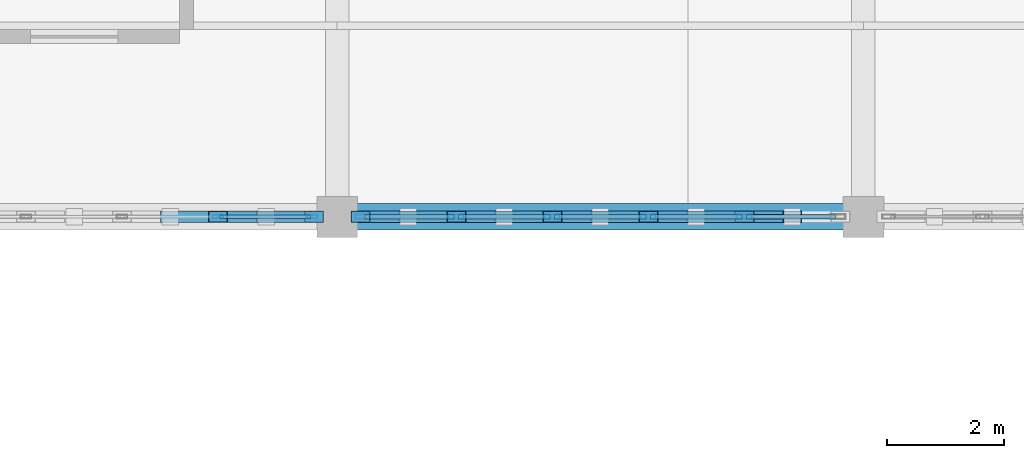
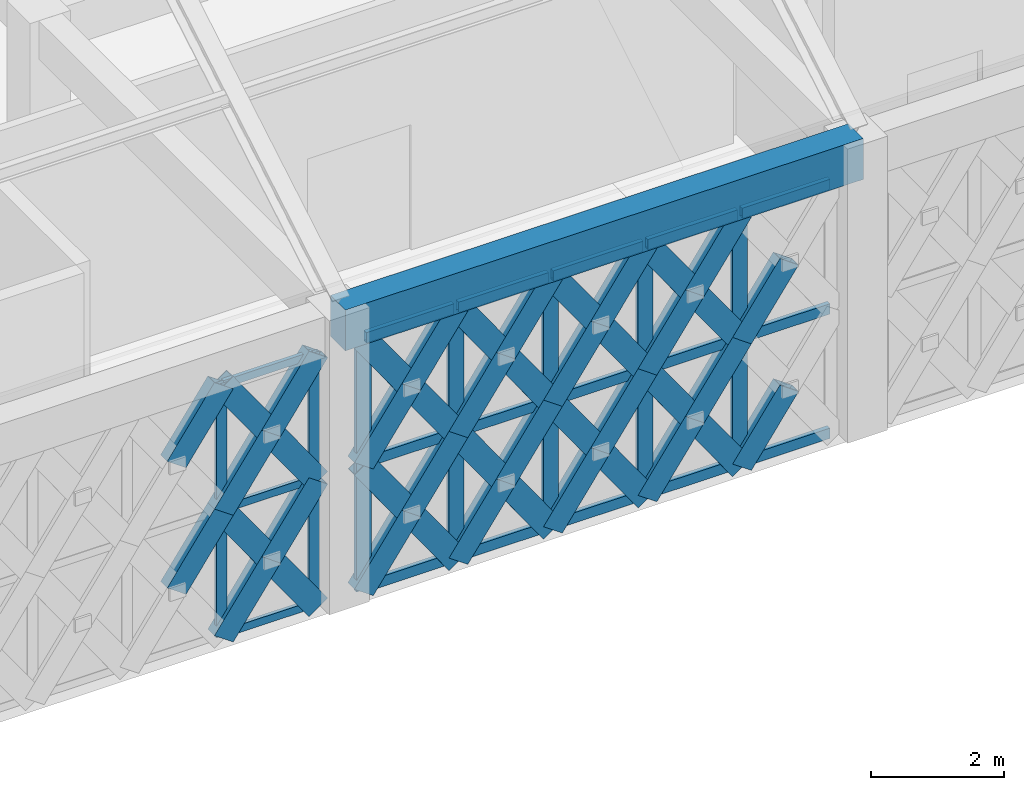
# One storey, part 42 of 72: 59 members, 1 beam, 2 elements without a shape of their own.
"""IFC4 building model written with IfcOpenShell, lengths in metres."""

from ifc_helpers import new_model, si_unit, direction, frame, origin, origin_2d, place, context, subcontext, project, spatial, rectangle, hollow_rectangle, extrude, material, material_profile, profile_set, type_object, element, aggregate, save


model = new_model("IFC4")

# Units and contexts
model_context = context("Model", 3, precision=1e-05, world=origin(), true_north=direction((0.0, 1.0)))
body_context = subcontext(model_context, "Body", "Model", "MODEL_VIEW")
ifc_project = project(units=[si_unit("LENGTHUNIT", "METRE"), si_unit("AREAUNIT", "SQUARE_METRE"), si_unit("VOLUMEUNIT", "CUBIC_METRE"), si_unit("PLANEANGLEUNIT", "RADIAN"), si_unit("MASSUNIT", "GRAM", prefix="KILO")], contexts=[model_context])

# Site, building, storey
site_placement = place(None, origin())
site = spatial("IfcSite", under=ifc_project, at=site_placement, CompositionType="ELEMENT")
building_placement = place(site_placement, origin())
building = spatial("IfcBuilding", under=site, at=building_placement, Name="Haizhuo Lancet Aquarium", CompositionType="ELEMENT")
storey_placement = place(building_placement, frame((0.0, 0.0, 21.60009765625)))
storey = spatial("IfcBuildingStorey", under=building, at=storey_placement, Name="L04", CompositionType="ELEMENT", Elevation=21.60009765625)

# Beam
ifc_material_1 = material(Name="Concrete C40/50", Category="concrete")
ifc_material_profile_1 = material_profile(ifc_material_1, rectangle(XDim=0.449951171875, YDim=0.75, at=origin_2d()), Name="RC-BM 450x750")
ifc_profile_set_1 = profile_set([ifc_material_profile_1], Name="Concrete C40/50")
beam_type = type_object("IfcBeamType", Name="BM-RC-450x750", PredefinedType="BEAM", material=ifc_profile_set_1)
beam_placement = place(storey_placement, frame((0.0, 36.0, 5.02490234375), z_axis=(1.0, 0.0, 0.0), x_axis=(0.0, 1.0, 0.0)))
element("IfcBeam", 1, at=beam_placement, inside=storey, type_object=beam_type, Name="L04 V5 primary girder BM-L04-V5-013", PredefinedType="BEAM", context=body_context, shape_type="SweptSolid", body=[
    extrude(rectangle(XDim=0.449951171875, YDim=0.75, at=origin_2d()), origin(), (0.0, 0.0, 1.0), 9.0),
])

# Curtain wall, members
ifc_material_2 = material(Name="Aluminium 6063-T6", Category="aluminium")
curtain_wall_type = type_object("IfcCurtainWallType", Name="CWD-8210x4650", PredefinedType="NOTDEFINED", material=ifc_material_2)
curtain_wall_1_placement = place(storey_placement, origin())
curtain_wall_1 = element("IfcCurtainWall", 2, at=curtain_wall_1_placement, inside=storey, type_object=curtain_wall_type, Name="L04 curtain wall CW-V5-L04-187", PredefinedType="NOTDEFINED")
ifc_material_profile_2 = material_profile(ifc_material_2, hollow_rectangle(XDim=0.06494140625, YDim=0.179931640625, WallThickness=0.00390625, at=origin_2d()), Name="ALU-M 65x180x4")
ifc_profile_set_2 = profile_set([ifc_material_profile_2], Name="Aluminium 6063-T6")
member_type_1 = type_object("IfcMemberType", Name="CW-MUL-1", PredefinedType="MULLION", material=ifc_profile_set_2)
member_1_placement = place(storey_placement, frame((-0.427001953125, 36.0, 0.0), z_axis=(0.0, 0.0, 1.0), x_axis=(0.0, -1.0, 0.0)))
member_1 = element("IfcMember", 3, at=member_1_placement, type_object=member_type_1, Name="CWD-82x46 mullion 1", PredefinedType="MULLION", context=body_context, shape_type="SweptSolid", body=[
    extrude(hollow_rectangle(XDim=0.06494140625, YDim=0.179931640625, WallThickness=0.00390625, at=origin_2d()), origin(), (0.0, 0.0, 1.0), 4.64990234375),
])
member_2_placement = place(storey_placement, frame((-2.037109375, 36.0, 0.0), z_axis=(0.0, 0.0, 1.0), x_axis=(0.0, -1.0, 0.0)))
member_2 = element("IfcMember", 4, at=member_2_placement, type_object=member_type_1, Name="CWD-82x46 mullion 2", PredefinedType="MULLION", context=body_context, shape_type="SweptSolid", body=[
    extrude(hollow_rectangle(XDim=0.06494140625, YDim=0.179931640625, WallThickness=0.00390625, at=origin_2d()), origin(), (0.0, 0.0, 1.0), 4.64990234375),
])

curtain_wall_2_placement = place(storey_placement, origin())
curtain_wall_2 = element("IfcCurtainWall", 5, at=curtain_wall_2_placement, inside=storey, type_object=curtain_wall_type, Name="L04 curtain wall CW-V5-L04-186", PredefinedType="NOTDEFINED")
ifc_material_profile_3 = material_profile(ifc_material_2, hollow_rectangle(XDim=0.080078125, YDim=0.260009765625, WallThickness=0.0048828125, at=origin_2d()), Name="ALU-M 80x260x5")
ifc_profile_set_3 = profile_set([ifc_material_profile_3], Name="Aluminium 6063-T6")
member_type_2 = type_object("IfcMemberType", Name="CW-MUL-3", PredefinedType="MULLION", material=ifc_profile_set_3)
member_3_placement = place(storey_placement, frame((6.962890625, 36.0, 0.0), z_axis=(0.0, 0.0, 1.0), x_axis=(0.0, -1.0, 0.0)))
member_3 = element("IfcMember", 6, at=member_3_placement, type_object=member_type_2, Name="CWD-82x46 mullion 2", PredefinedType="MULLION", context=body_context, shape_type="SweptSolid", body=[
    extrude(hollow_rectangle(XDim=0.080078125, YDim=0.260009765625, WallThickness=0.0048828125, at=origin_2d()), origin(), (0.0, 0.0, 1.0), 4.64990234375),
])
member_4_placement = place(storey_placement, frame((5.321044921875, 36.0, 0.0), z_axis=(0.0, 0.0, 1.0), x_axis=(0.0, -1.0, 0.0)))
member_4 = element("IfcMember", 7, at=member_4_placement, type_object=member_type_2, Name="CWD-82x46 mullion 3", PredefinedType="MULLION", context=body_context, shape_type="SweptSolid", body=[
    extrude(hollow_rectangle(XDim=0.080078125, YDim=0.260009765625, WallThickness=0.0048828125, at=origin_2d()), origin(), (0.0, 0.0, 1.0), 4.64990234375),
])
member_5_placement = place(storey_placement, frame((3.678955078125, 36.0, 0.0), z_axis=(0.0, 0.0, 1.0), x_axis=(0.0, -1.0, 0.0)))
member_5 = element("IfcMember", 8, at=member_5_placement, type_object=member_type_2, Name="CWD-82x46 mullion 4", PredefinedType="MULLION", context=body_context, shape_type="SweptSolid", body=[
    extrude(hollow_rectangle(XDim=0.080078125, YDim=0.260009765625, WallThickness=0.0048828125, at=origin_2d()), origin(), (0.0, 0.0, 1.0), 4.64990234375),
])
member_6_placement = place(storey_placement, frame((2.037109375, 36.0, 0.0), z_axis=(0.0, 0.0, 1.0), x_axis=(0.0, -1.0, 0.0)))
member_6 = element("IfcMember", 9, at=member_6_placement, type_object=member_type_2, Name="CWD-82x46 mullion 5", PredefinedType="MULLION", context=body_context, shape_type="SweptSolid", body=[
    extrude(hollow_rectangle(XDim=0.080078125, YDim=0.260009765625, WallThickness=0.0048828125, at=origin_2d()), origin(), (0.0, 0.0, 1.0), 4.64990234375),
])
member_7_placement = place(storey_placement, frame((0.43505859375, 36.0, 0.0), z_axis=(0.0, 0.0, 1.0), x_axis=(0.0, -1.0, 0.0)))
member_7 = element("IfcMember", 10, at=member_7_placement, type_object=member_type_2, Name="CWD-82x46 mullion 6", PredefinedType="MULLION", context=body_context, shape_type="SweptSolid", body=[
    extrude(hollow_rectangle(XDim=0.080078125, YDim=0.260009765625, WallThickness=0.0048828125, at=origin_2d()), origin(), (0.0, 0.0, 1.0), 4.64990234375),
])

# Member
ifc_material_profile_4 = material_profile(ifc_material_2, hollow_rectangle(XDim=0.06494140625, YDim=0.139892578125, WallThickness=0.00390625, at=origin_2d()), Name="ALU-T 65x140x4")
ifc_profile_set_4 = profile_set([ifc_material_profile_4], Name="Aluminium 6063-T6")
member_type_3 = type_object("IfcMemberType", Name="CW-TRN-1", PredefinedType="NOTDEFINED", material=ifc_profile_set_4)
member_8_placement = place(storey_placement, frame((-0.4599609375, 36.0, 0.032958984375), z_axis=(-1.0, 0.0, 0.0), x_axis=(0.0, -1.0, 0.0)))
member_8 = element("IfcMember", 11, at=member_8_placement, type_object=member_type_3, Name="CWD-82x46 transom 1.1", ObjectType="TRANSOM", PredefinedType="USERDEFINED", context=body_context, shape_type="SweptSolid", body=[
    extrude(hollow_rectangle(XDim=0.06494140625, YDim=0.139892578125, WallThickness=0.00390625, at=origin_2d()), origin(), (0.0, 0.0, 1.0), 1.544921875),
])

member_9_placement = place(storey_placement, frame((-0.4599609375, 36.0, 2.324951171875), z_axis=(-1.0, 0.0, 0.0), x_axis=(0.0, -1.0, 0.0)))
member_9 = element("IfcMember", 12, at=member_9_placement, type_object=member_type_3, Name="CWD-82x46 transom 1.2", ObjectType="TRANSOM", PredefinedType="USERDEFINED", context=body_context, shape_type="SweptSolid", body=[
    extrude(hollow_rectangle(XDim=0.06494140625, YDim=0.139892578125, WallThickness=0.00390625, at=origin_2d()), origin(), (0.0, 0.0, 1.0), 1.544921875),
])

member_10_placement = place(storey_placement, frame((-0.4599609375, 36.0, 4.617919921875), z_axis=(-1.0, 0.0, 0.0), x_axis=(0.0, -1.0, 0.0)))
member_10 = element("IfcMember", 13, at=member_10_placement, type_object=member_type_3, Name="CWD-82x46 transom 1.3", ObjectType="TRANSOM", PredefinedType="USERDEFINED", context=body_context, shape_type="SweptSolid", body=[
    extrude(hollow_rectangle(XDim=0.06494140625, YDim=0.139892578125, WallThickness=0.00390625, at=origin_2d()), origin(), (0.0, 0.0, 1.0), 1.544921875),
])

aggregate(curtain_wall_1, [member_1, member_2, member_8, member_9, member_10])

ifc_material_profile_5 = material_profile(ifc_material_2, hollow_rectangle(XDim=0.080078125, YDim=0.18994140625, WallThickness=0.0048828125, at=origin_2d()), Name="ALU-T 80x190x5")
ifc_profile_set_5 = profile_set([ifc_material_profile_5], Name="Aluminium 6063-T6")
member_type_4 = type_object("IfcMemberType", Name="CW-TRN-3", PredefinedType="NOTDEFINED", material=ifc_profile_set_5)
member_11_placement = place(storey_placement, frame((8.52490234375, 36.0, 0.039794921875), z_axis=(-1.0, 0.0, 0.0), x_axis=(0.0, -1.0, 0.0)))
member_11 = element("IfcMember", 14, at=member_11_placement, type_object=member_type_4, Name="CWD-82x46 transom 1.1", ObjectType="TRANSOM", PredefinedType="USERDEFINED", context=body_context, shape_type="SweptSolid", body=[
    extrude(hollow_rectangle(XDim=0.080078125, YDim=0.18994140625, WallThickness=0.0048828125, at=origin_2d()), origin(), (0.0, 0.0, 1.0), 1.52197265625),
])

member_12_placement = place(storey_placement, frame((8.52490234375, 36.0, 2.324951171875), z_axis=(-1.0, 0.0, 0.0), x_axis=(0.0, -1.0, 0.0)))
member_12 = element("IfcMember", 15, at=member_12_placement, type_object=member_type_4, Name="CWD-82x46 transom 1.2", ObjectType="TRANSOM", PredefinedType="USERDEFINED", context=body_context, shape_type="SweptSolid", body=[
    extrude(hollow_rectangle(XDim=0.080078125, YDim=0.18994140625, WallThickness=0.0048828125, at=origin_2d()), origin(), (0.0, 0.0, 1.0), 1.52197265625),
])

member_13_placement = place(storey_placement, frame((8.52490234375, 36.0, 4.60986328125), z_axis=(-1.0, 0.0, 0.0), x_axis=(0.0, -1.0, 0.0)))
member_13 = element("IfcMember", 16, at=member_13_placement, type_object=member_type_4, Name="CWD-82x46 transom 1.3", ObjectType="TRANSOM", PredefinedType="USERDEFINED", context=body_context, shape_type="SweptSolid", body=[
    extrude(hollow_rectangle(XDim=0.080078125, YDim=0.18994140625, WallThickness=0.0048828125, at=origin_2d()), origin(), (0.0, 0.0, 1.0), 1.52197265625),
])

member_14_placement = place(storey_placement, frame((6.923095703125, 36.0, 0.039794921875), z_axis=(-1.0, 0.0, 0.0), x_axis=(0.0, -1.0, 0.0)))
member_14 = element("IfcMember", 17, at=member_14_placement, type_object=member_type_4, Name="CWD-82x46 transom 2.1", ObjectType="TRANSOM", PredefinedType="USERDEFINED", context=body_context, shape_type="SweptSolid", body=[
    extrude(hollow_rectangle(XDim=0.080078125, YDim=0.18994140625, WallThickness=0.0048828125, at=origin_2d()), origin(), (0.0, 0.0, 1.0), 1.56201171875),
])

member_15_placement = place(storey_placement, frame((6.923095703125, 36.0, 2.324951171875), z_axis=(-1.0, 0.0, 0.0), x_axis=(0.0, -1.0, 0.0)))
member_15 = element("IfcMember", 18, at=member_15_placement, type_object=member_type_4, Name="CWD-82x46 transom 2.2", ObjectType="TRANSOM", PredefinedType="USERDEFINED", context=body_context, shape_type="SweptSolid", body=[
    extrude(hollow_rectangle(XDim=0.080078125, YDim=0.18994140625, WallThickness=0.0048828125, at=origin_2d()), origin(), (0.0, 0.0, 1.0), 1.56201171875),
])

member_16_placement = place(storey_placement, frame((6.923095703125, 36.0, 4.60986328125), z_axis=(-1.0, 0.0, 0.0), x_axis=(0.0, -1.0, 0.0)))
member_16 = element("IfcMember", 19, at=member_16_placement, type_object=member_type_4, Name="CWD-82x46 transom 2.3", ObjectType="TRANSOM", PredefinedType="USERDEFINED", context=body_context, shape_type="SweptSolid", body=[
    extrude(hollow_rectangle(XDim=0.080078125, YDim=0.18994140625, WallThickness=0.0048828125, at=origin_2d()), origin(), (0.0, 0.0, 1.0), 1.56201171875),
])

member_17_placement = place(storey_placement, frame((5.281005859375, 36.0, 0.039794921875), z_axis=(-1.0, 0.0, 0.0), x_axis=(0.0, -1.0, 0.0)))
member_17 = element("IfcMember", 20, at=member_17_placement, type_object=member_type_4, Name="CWD-82x46 transom 3.1", ObjectType="TRANSOM", PredefinedType="USERDEFINED", context=body_context, shape_type="SweptSolid", body=[
    extrude(hollow_rectangle(XDim=0.080078125, YDim=0.18994140625, WallThickness=0.0048828125, at=origin_2d()), origin(), (0.0, 0.0, 1.0), 1.56201171875),
])

member_18_placement = place(storey_placement, frame((5.281005859375, 36.0, 2.324951171875), z_axis=(-1.0, 0.0, 0.0), x_axis=(0.0, -1.0, 0.0)))
member_18 = element("IfcMember", 21, at=member_18_placement, type_object=member_type_4, Name="CWD-82x46 transom 3.2", ObjectType="TRANSOM", PredefinedType="USERDEFINED", context=body_context, shape_type="SweptSolid", body=[
    extrude(hollow_rectangle(XDim=0.080078125, YDim=0.18994140625, WallThickness=0.0048828125, at=origin_2d()), origin(), (0.0, 0.0, 1.0), 1.56201171875),
])

member_19_placement = place(storey_placement, frame((5.281005859375, 36.0, 4.60986328125), z_axis=(-1.0, 0.0, 0.0), x_axis=(0.0, -1.0, 0.0)))
member_19 = element("IfcMember", 22, at=member_19_placement, type_object=member_type_4, Name="CWD-82x46 transom 3.3", ObjectType="TRANSOM", PredefinedType="USERDEFINED", context=body_context, shape_type="SweptSolid", body=[
    extrude(hollow_rectangle(XDim=0.080078125, YDim=0.18994140625, WallThickness=0.0048828125, at=origin_2d()), origin(), (0.0, 0.0, 1.0), 1.56201171875),
])

member_20_placement = place(storey_placement, frame((3.638916015625, 36.0, 0.039794921875), z_axis=(-1.0, 0.0, 0.0), x_axis=(0.0, -1.0, 0.0)))
member_20 = element("IfcMember", 23, at=member_20_placement, type_object=member_type_4, Name="CWD-82x46 transom 4.1", ObjectType="TRANSOM", PredefinedType="USERDEFINED", context=body_context, shape_type="SweptSolid", body=[
    extrude(hollow_rectangle(XDim=0.080078125, YDim=0.18994140625, WallThickness=0.0048828125, at=origin_2d()), origin(), (0.0, 0.0, 1.0), 1.56201171875),
])

member_21_placement = place(storey_placement, frame((3.638916015625, 36.0, 2.324951171875), z_axis=(-1.0, 0.0, 0.0), x_axis=(0.0, -1.0, 0.0)))
member_21 = element("IfcMember", 24, at=member_21_placement, type_object=member_type_4, Name="CWD-82x46 transom 4.2", ObjectType="TRANSOM", PredefinedType="USERDEFINED", context=body_context, shape_type="SweptSolid", body=[
    extrude(hollow_rectangle(XDim=0.080078125, YDim=0.18994140625, WallThickness=0.0048828125, at=origin_2d()), origin(), (0.0, 0.0, 1.0), 1.56201171875),
])

member_22_placement = place(storey_placement, frame((3.638916015625, 36.0, 4.60986328125), z_axis=(-1.0, 0.0, 0.0), x_axis=(0.0, -1.0, 0.0)))
member_22 = element("IfcMember", 25, at=member_22_placement, type_object=member_type_4, Name="CWD-82x46 transom 4.3", ObjectType="TRANSOM", PredefinedType="USERDEFINED", context=body_context, shape_type="SweptSolid", body=[
    extrude(hollow_rectangle(XDim=0.080078125, YDim=0.18994140625, WallThickness=0.0048828125, at=origin_2d()), origin(), (0.0, 0.0, 1.0), 1.56201171875),
])

member_23_placement = place(storey_placement, frame((1.9970703125, 36.0, 0.039794921875), z_axis=(-1.0, 0.0, 0.0), x_axis=(0.0, -1.0, 0.0)))
member_23 = element("IfcMember", 26, at=member_23_placement, type_object=member_type_4, Name="CWD-82x46 transom 5.1", ObjectType="TRANSOM", PredefinedType="USERDEFINED", context=body_context, shape_type="SweptSolid", body=[
    extrude(hollow_rectangle(XDim=0.080078125, YDim=0.18994140625, WallThickness=0.0048828125, at=origin_2d()), origin(), (0.0, 0.0, 1.0), 1.52197265625),
])

member_24_placement = place(storey_placement, frame((1.9970703125, 36.0, 2.324951171875), z_axis=(-1.0, 0.0, 0.0), x_axis=(0.0, -1.0, 0.0)))
member_24 = element("IfcMember", 27, at=member_24_placement, type_object=member_type_4, Name="CWD-82x46 transom 5.2", ObjectType="TRANSOM", PredefinedType="USERDEFINED", context=body_context, shape_type="SweptSolid", body=[
    extrude(hollow_rectangle(XDim=0.080078125, YDim=0.18994140625, WallThickness=0.0048828125, at=origin_2d()), origin(), (0.0, 0.0, 1.0), 1.52197265625),
])

member_25_placement = place(storey_placement, frame((1.9970703125, 36.0, 4.60986328125), z_axis=(-1.0, 0.0, 0.0), x_axis=(0.0, -1.0, 0.0)))
member_25 = element("IfcMember", 28, at=member_25_placement, type_object=member_type_4, Name="CWD-82x46 transom 5.3", ObjectType="TRANSOM", PredefinedType="USERDEFINED", context=body_context, shape_type="SweptSolid", body=[
    extrude(hollow_rectangle(XDim=0.080078125, YDim=0.18994140625, WallThickness=0.0048828125, at=origin_2d()), origin(), (0.0, 0.0, 1.0), 1.52197265625),
])

aggregate(curtain_wall_2, [member_3, member_4, member_5, member_6, member_7, member_11, member_12, member_13, member_14, member_15, member_16, member_17, member_18, member_19, member_20, member_21, member_22, member_23, member_24, member_25])

# Members
ifc_material_3 = material(Name="Steel S355", Category="steel")
ifc_material_profile_6 = material_profile(ifc_material_3, hollow_rectangle(XDim=0.199951171875, YDim=0.39990234375, WallThickness=0.011962890625, at=origin_2d()), Name="RHS 200x400x12")
ifc_profile_set_6 = profile_set([ifc_material_profile_6], Name="Steel S355")
member_type_5 = type_object("IfcMemberType", Name="MEM-LB-RHS200x400", PredefinedType="BRACE", material=ifc_profile_set_6)
member_26_placement = place(storey_placement, frame((6.962890625, 36.0, 0.0), z_axis=(0.576784197237, 0.0, 0.816896560048), x_axis=(0.0, 1.0, 0.0)))
element("IfcMember", 29, at=member_26_placement, inside=storey, type_object=member_type_5, Name="Gothic lancet split diagonal brace CW-V5-L04-186 1B1", PredefinedType="BRACE", context=body_context, shape_type="SweptSolid", body=[
    extrude(hollow_rectangle(XDim=0.199951171875, YDim=0.39990234375, WallThickness=0.011962890625, at=origin_2d()), origin(), (0.0, 0.0, 1.0), 1.423583984375),
])
member_27_placement = place(storey_placement, frame((6.962890625, 36.0, 2.324951171875), z_axis=(0.577107574598, 0.0, 0.816668137827), x_axis=(0.0, 1.0, 0.0)))
element("IfcMember", 30, at=member_27_placement, inside=storey, type_object=member_type_5, Name="Gothic lancet split diagonal brace CW-V5-L04-186 2B1", PredefinedType="BRACE", context=body_context, shape_type="SweptSolid", body=[
    extrude(hollow_rectangle(XDim=0.199951171875, YDim=0.39990234375, WallThickness=0.011962890625, at=origin_2d()), origin(), (0.0, 0.0, 1.0), 1.422607421875),
])
member_28_placement = place(storey_placement, frame((6.962890625, 36.0, 0.0), z_axis=(-0.57684820195, 0.0, 0.816851364635), x_axis=(0.0, -1.0, 0.0)))
element("IfcMember", 31, at=member_28_placement, inside=storey, type_object=member_type_5, Name="Gothic lancet continuous diagonal brace CW-V5-L04-186 3A", PredefinedType="BRACE", context=body_context, shape_type="SweptSolid", body=[
    extrude(hollow_rectangle(XDim=0.199951171875, YDim=0.39990234375, WallThickness=0.011962890625, at=origin_2d()), origin(), (0.0, 0.0, 1.0), 2.84619140625),
])
member_29_placement = place(storey_placement, frame((5.321044921875, 36.0, 0.0), z_axis=(0.576784197237, 0.0, 0.816896560048), x_axis=(0.0, 1.0, 0.0)))
element("IfcMember", 32, at=member_29_placement, inside=storey, type_object=member_type_5, Name="Gothic lancet split diagonal brace CW-V5-L04-186 3B1", PredefinedType="BRACE", context=body_context, shape_type="SweptSolid", body=[
    extrude(hollow_rectangle(XDim=0.199951171875, YDim=0.39990234375, WallThickness=0.011962890625, at=origin_2d()), origin(), (0.0, 0.0, 1.0), 1.423583984375),
])
member_30_placement = place(storey_placement, frame((6.14208984375, 36.0, 1.162841796875), z_axis=(0.57691223637, 0.0, 0.816806140726), x_axis=(0.0, 1.0, 0.0)))
element("IfcMember", 33, at=member_30_placement, inside=storey, type_object=member_type_5, Name="Gothic lancet split diagonal brace CW-V5-L04-186 3B2", PredefinedType="BRACE", context=body_context, shape_type="SweptSolid", body=[
    extrude(hollow_rectangle(XDim=0.199951171875, YDim=0.39990234375, WallThickness=0.011962890625, at=origin_2d()), origin(), (0.0, 0.0, 1.0), 1.4228515625),
])
member_31_placement = place(storey_placement, frame((6.962890625, 36.0, 2.324951171875), z_axis=(-0.57684820195, 0.0, 0.816851364635), x_axis=(0.0, -1.0, 0.0)))
element("IfcMember", 34, at=member_31_placement, inside=storey, type_object=member_type_5, Name="Gothic lancet continuous diagonal brace CW-V5-L04-186 4A", PredefinedType="BRACE", context=body_context, shape_type="SweptSolid", body=[
    extrude(hollow_rectangle(XDim=0.199951171875, YDim=0.39990234375, WallThickness=0.011962890625, at=origin_2d()), origin(), (0.0, 0.0, 1.0), 2.84619140625),
])
member_32_placement = place(storey_placement, frame((5.321044921875, 36.0, 2.324951171875), z_axis=(0.577107574598, 0.0, 0.816668137827), x_axis=(0.0, 1.0, 0.0)))
element("IfcMember", 35, at=member_32_placement, inside=storey, type_object=member_type_5, Name="Gothic lancet split diagonal brace CW-V5-L04-186 4B1", PredefinedType="BRACE", context=body_context, shape_type="SweptSolid", body=[
    extrude(hollow_rectangle(XDim=0.199951171875, YDim=0.39990234375, WallThickness=0.011962890625, at=origin_2d()), origin(), (0.0, 0.0, 1.0), 1.422607421875),
])
member_33_placement = place(storey_placement, frame((6.14208984375, 36.0, 3.48681640625), z_axis=(0.576588927202, 0.0, 0.817034398926), x_axis=(0.0, 1.0, 0.0)))
element("IfcMember", 36, at=member_33_placement, inside=storey, type_object=member_type_5, Name="Gothic lancet split diagonal brace CW-V5-L04-186 4B2", PredefinedType="BRACE", context=body_context, shape_type="SweptSolid", body=[
    extrude(hollow_rectangle(XDim=0.199951171875, YDim=0.39990234375, WallThickness=0.011962890625, at=origin_2d()), origin(), (0.0, 0.0, 1.0), 1.423583984375),
])
member_34_placement = place(storey_placement, frame((5.321044921875, 36.0, 0.0), z_axis=(-0.576905431865, 0.0, 0.816810946722), x_axis=(0.0, -1.0, 0.0)))
element("IfcMember", 37, at=member_34_placement, inside=storey, type_object=member_type_5, Name="Gothic lancet continuous diagonal brace CW-V5-L04-186 5A", PredefinedType="BRACE", context=body_context, shape_type="SweptSolid", body=[
    extrude(hollow_rectangle(XDim=0.199951171875, YDim=0.39990234375, WallThickness=0.011962890625, at=origin_2d()), origin(), (0.0, 0.0, 1.0), 2.846435546875),
])
member_35_placement = place(storey_placement, frame((3.678955078125, 36.0, 0.0), z_axis=(0.576784197237, 0.0, 0.816896560048), x_axis=(0.0, 1.0, 0.0)))
element("IfcMember", 38, at=member_35_placement, inside=storey, type_object=member_type_5, Name="Gothic lancet split diagonal brace CW-V5-L04-186 5B1", PredefinedType="BRACE", context=body_context, shape_type="SweptSolid", body=[
    extrude(hollow_rectangle(XDim=0.199951171875, YDim=0.39990234375, WallThickness=0.011962890625, at=origin_2d()), origin(), (0.0, 0.0, 1.0), 1.423583984375),
])
member_36_placement = place(storey_placement, frame((4.5, 36.0, 1.162841796875), z_axis=(0.57702670475, 0.0, 0.816725279396), x_axis=(0.0, 1.0, 0.0)))
element("IfcMember", 39, at=member_36_placement, inside=storey, type_object=member_type_5, Name="Gothic lancet split diagonal brace CW-V5-L04-186 5B2", PredefinedType="BRACE", context=body_context, shape_type="SweptSolid", body=[
    extrude(hollow_rectangle(XDim=0.199951171875, YDim=0.39990234375, WallThickness=0.011962890625, at=origin_2d()), origin(), (0.0, 0.0, 1.0), 1.4228515625),
])
member_37_placement = place(storey_placement, frame((5.321044921875, 36.0, 2.324951171875), z_axis=(-0.576905431865, 0.0, 0.816810946722), x_axis=(0.0, -1.0, 0.0)))
element("IfcMember", 40, at=member_37_placement, inside=storey, type_object=member_type_5, Name="Gothic lancet continuous diagonal brace CW-V5-L04-186 6A", PredefinedType="BRACE", context=body_context, shape_type="SweptSolid", body=[
    extrude(hollow_rectangle(XDim=0.199951171875, YDim=0.39990234375, WallThickness=0.011962890625, at=origin_2d()), origin(), (0.0, 0.0, 1.0), 2.846435546875),
])
member_38_placement = place(storey_placement, frame((3.678955078125, 36.0, 2.324951171875), z_axis=(0.577107574598, 0.0, 0.816668137827), x_axis=(0.0, 1.0, 0.0)))
element("IfcMember", 41, at=member_38_placement, inside=storey, type_object=member_type_5, Name="Gothic lancet split diagonal brace CW-V5-L04-186 6B1", PredefinedType="BRACE", context=body_context, shape_type="SweptSolid", body=[
    extrude(hollow_rectangle(XDim=0.199951171875, YDim=0.39990234375, WallThickness=0.011962890625, at=origin_2d()), origin(), (0.0, 0.0, 1.0), 1.422607421875),
])
member_39_placement = place(storey_placement, frame((4.5, 36.0, 3.48681640625), z_axis=(0.576703395402, 0.0, 0.816953605618), x_axis=(0.0, 1.0, 0.0)))
element("IfcMember", 42, at=member_39_placement, inside=storey, type_object=member_type_5, Name="Gothic lancet split diagonal brace CW-V5-L04-186 6B2", PredefinedType="BRACE", context=body_context, shape_type="SweptSolid", body=[
    extrude(hollow_rectangle(XDim=0.199951171875, YDim=0.39990234375, WallThickness=0.011962890625, at=origin_2d()), origin(), (0.0, 0.0, 1.0), 1.423583984375),
])
member_40_placement = place(storey_placement, frame((3.678955078125, 36.0, 0.0), z_axis=(-0.57684820195, 0.0, 0.816851364635), x_axis=(0.0, -1.0, 0.0)))
element("IfcMember", 43, at=member_40_placement, inside=storey, type_object=member_type_5, Name="Gothic lancet continuous diagonal brace CW-V5-L04-186 7A", PredefinedType="BRACE", context=body_context, shape_type="SweptSolid", body=[
    extrude(hollow_rectangle(XDim=0.199951171875, YDim=0.39990234375, WallThickness=0.011962890625, at=origin_2d()), origin(), (0.0, 0.0, 1.0), 2.84619140625),
])
member_41_placement = place(storey_placement, frame((2.037109375, 36.0, 0.0), z_axis=(0.576669728982, 0.0, 0.816977370357), x_axis=(0.0, 1.0, 0.0)))
element("IfcMember", 44, at=member_41_placement, inside=storey, type_object=member_type_5, Name="Gothic lancet split diagonal brace CW-V5-L04-186 7B1", PredefinedType="BRACE", context=body_context, shape_type="SweptSolid", body=[
    extrude(hollow_rectangle(XDim=0.199951171875, YDim=0.39990234375, WallThickness=0.011962890625, at=origin_2d()), origin(), (0.0, 0.0, 1.0), 1.42333984375),
])
member_42_placement = place(storey_placement, frame((2.85791015625, 36.0, 1.162841796875), z_axis=(0.57702670475, 0.0, 0.816725279396), x_axis=(0.0, 1.0, 0.0)))
element("IfcMember", 45, at=member_42_placement, inside=storey, type_object=member_type_5, Name="Gothic lancet split diagonal brace CW-V5-L04-186 7B2", PredefinedType="BRACE", context=body_context, shape_type="SweptSolid", body=[
    extrude(hollow_rectangle(XDim=0.199951171875, YDim=0.39990234375, WallThickness=0.011962890625, at=origin_2d()), origin(), (0.0, 0.0, 1.0), 1.4228515625),
])
member_43_placement = place(storey_placement, frame((3.678955078125, 36.0, 2.324951171875), z_axis=(-0.57684820195, 0.0, 0.816851364635), x_axis=(0.0, -1.0, 0.0)))
element("IfcMember", 46, at=member_43_placement, inside=storey, type_object=member_type_5, Name="Gothic lancet continuous diagonal brace CW-V5-L04-186 8A", PredefinedType="BRACE", context=body_context, shape_type="SweptSolid", body=[
    extrude(hollow_rectangle(XDim=0.199951171875, YDim=0.39990234375, WallThickness=0.011962890625, at=origin_2d()), origin(), (0.0, 0.0, 1.0), 2.84619140625),
])
member_44_placement = place(storey_placement, frame((2.037109375, 36.0, 2.324951171875), z_axis=(0.576993106189, 0.0, 0.816749016167), x_axis=(0.0, 1.0, 0.0)))
element("IfcMember", 47, at=member_44_placement, inside=storey, type_object=member_type_5, Name="Gothic lancet split diagonal brace CW-V5-L04-186 8B1", PredefinedType="BRACE", context=body_context, shape_type="SweptSolid", body=[
    extrude(hollow_rectangle(XDim=0.199951171875, YDim=0.39990234375, WallThickness=0.011962890625, at=origin_2d()), origin(), (0.0, 0.0, 1.0), 1.422607421875),
])
member_45_placement = place(storey_placement, frame((2.85791015625, 36.0, 3.48681640625), z_axis=(0.576703395402, 0.0, 0.816953605618), x_axis=(0.0, 1.0, 0.0)))
element("IfcMember", 48, at=member_45_placement, inside=storey, type_object=member_type_5, Name="Gothic lancet split diagonal brace CW-V5-L04-186 8B2", PredefinedType="BRACE", context=body_context, shape_type="SweptSolid", body=[
    extrude(hollow_rectangle(XDim=0.199951171875, YDim=0.39990234375, WallThickness=0.011962890625, at=origin_2d()), origin(), (0.0, 0.0, 1.0), 1.423583984375),
])
member_46_placement = place(storey_placement, frame((2.037109375, 36.0, 0.0), z_axis=(-0.576905431865, 0.0, 0.816810946722), x_axis=(0.0, -1.0, 0.0)))
element("IfcMember", 49, at=member_46_placement, inside=storey, type_object=member_type_5, Name="Gothic lancet continuous diagonal brace CW-V5-L04-186 9A", PredefinedType="BRACE", context=body_context, shape_type="SweptSolid", body=[
    extrude(hollow_rectangle(XDim=0.199951171875, YDim=0.39990234375, WallThickness=0.011962890625, at=origin_2d()), origin(), (0.0, 0.0, 1.0), 2.846435546875),
])
member_47_placement = place(storey_placement, frame((0.39501953125, 36.0, 0.0), z_axis=(0.576784197237, 0.0, 0.816896560048), x_axis=(0.0, 1.0, 0.0)))
element("IfcMember", 50, at=member_47_placement, inside=storey, type_object=member_type_5, Name="Gothic lancet split diagonal brace CW-V5-L04-186 9B1", PredefinedType="BRACE", context=body_context, shape_type="SweptSolid", body=[
    extrude(hollow_rectangle(XDim=0.199951171875, YDim=0.39990234375, WallThickness=0.011962890625, at=origin_2d()), origin(), (0.0, 0.0, 1.0), 1.423583984375),
])
member_48_placement = place(storey_placement, frame((1.216064453125, 36.0, 1.162841796875), z_axis=(0.57702670475, 0.0, 0.816725279396), x_axis=(0.0, 1.0, 0.0)))
element("IfcMember", 51, at=member_48_placement, inside=storey, type_object=member_type_5, Name="Gothic lancet split diagonal brace CW-V5-L04-186 9B2", PredefinedType="BRACE", context=body_context, shape_type="SweptSolid", body=[
    extrude(hollow_rectangle(XDim=0.199951171875, YDim=0.39990234375, WallThickness=0.011962890625, at=origin_2d()), origin(), (0.0, 0.0, 1.0), 1.4228515625),
])
member_49_placement = place(storey_placement, frame((2.037109375, 36.0, 2.324951171875), z_axis=(-0.576905431865, 0.0, 0.816810946722), x_axis=(0.0, -1.0, 0.0)))
element("IfcMember", 52, at=member_49_placement, inside=storey, type_object=member_type_5, Name="Gothic lancet continuous diagonal brace CW-V5-L04-186 10A", PredefinedType="BRACE", context=body_context, shape_type="SweptSolid", body=[
    extrude(hollow_rectangle(XDim=0.199951171875, YDim=0.39990234375, WallThickness=0.011962890625, at=origin_2d()), origin(), (0.0, 0.0, 1.0), 2.846435546875),
])
member_50_placement = place(storey_placement, frame((0.39501953125, 36.0, 2.324951171875), z_axis=(0.577107574598, 0.0, 0.816668137827), x_axis=(0.0, 1.0, 0.0)))
element("IfcMember", 53, at=member_50_placement, inside=storey, type_object=member_type_5, Name="Gothic lancet split diagonal brace CW-V5-L04-186 10B1", PredefinedType="BRACE", context=body_context, shape_type="SweptSolid", body=[
    extrude(hollow_rectangle(XDim=0.199951171875, YDim=0.39990234375, WallThickness=0.011962890625, at=origin_2d()), origin(), (0.0, 0.0, 1.0), 1.422607421875),
])
member_51_placement = place(storey_placement, frame((1.216064453125, 36.0, 3.48681640625), z_axis=(0.576703395402, 0.0, 0.816953605618), x_axis=(0.0, 1.0, 0.0)))
element("IfcMember", 54, at=member_51_placement, inside=storey, type_object=member_type_5, Name="Gothic lancet split diagonal brace CW-V5-L04-186 10B2", PredefinedType="BRACE", context=body_context, shape_type="SweptSolid", body=[
    extrude(hollow_rectangle(XDim=0.199951171875, YDim=0.39990234375, WallThickness=0.011962890625, at=origin_2d()), origin(), (0.0, 0.0, 1.0), 1.423583984375),
])
member_52_placement = place(storey_placement, frame((-0.39501953125, 36.0, 0.0), z_axis=(-0.576905431865, 0.0, 0.816810946722), x_axis=(0.0, -1.0, 0.0)))
element("IfcMember", 55, at=member_52_placement, inside=storey, type_object=member_type_5, Name="Gothic lancet continuous diagonal brace CW-V5-L04-187 1A", PredefinedType="BRACE", context=body_context, shape_type="SweptSolid", body=[
    extrude(hollow_rectangle(XDim=0.199951171875, YDim=0.39990234375, WallThickness=0.011962890625, at=origin_2d()), origin(), (0.0, 0.0, 1.0), 2.846435546875),
])
member_53_placement = place(storey_placement, frame((-2.037109375, 36.0, 0.0), z_axis=(0.576784197237, 0.0, 0.816896560048), x_axis=(0.0, 1.0, 0.0)))
element("IfcMember", 56, at=member_53_placement, inside=storey, type_object=member_type_5, Name="Gothic lancet split diagonal brace CW-V5-L04-187 1B1", PredefinedType="BRACE", context=body_context, shape_type="SweptSolid", body=[
    extrude(hollow_rectangle(XDim=0.199951171875, YDim=0.39990234375, WallThickness=0.011962890625, at=origin_2d()), origin(), (0.0, 0.0, 1.0), 1.423583984375),
])
member_54_placement = place(storey_placement, frame((-1.216064453125, 36.0, 1.162841796875), z_axis=(0.57702670475, 0.0, 0.816725279396), x_axis=(0.0, 1.0, 0.0)))
element("IfcMember", 57, at=member_54_placement, inside=storey, type_object=member_type_5, Name="Gothic lancet split diagonal brace CW-V5-L04-187 1B2", PredefinedType="BRACE", context=body_context, shape_type="SweptSolid", body=[
    extrude(hollow_rectangle(XDim=0.199951171875, YDim=0.39990234375, WallThickness=0.011962890625, at=origin_2d()), origin(), (0.0, 0.0, 1.0), 1.4228515625),
])
member_55_placement = place(storey_placement, frame((-0.39501953125, 36.0, 2.324951171875), z_axis=(-0.576905431865, 0.0, 0.816810946722), x_axis=(0.0, -1.0, 0.0)))
element("IfcMember", 58, at=member_55_placement, inside=storey, type_object=member_type_5, Name="Gothic lancet continuous diagonal brace CW-V5-L04-187 2A", PredefinedType="BRACE", context=body_context, shape_type="SweptSolid", body=[
    extrude(hollow_rectangle(XDim=0.199951171875, YDim=0.39990234375, WallThickness=0.011962890625, at=origin_2d()), origin(), (0.0, 0.0, 1.0), 2.846435546875),
])
member_56_placement = place(storey_placement, frame((-2.037109375, 36.0, 2.324951171875), z_axis=(0.577107574598, 0.0, 0.816668137827), x_axis=(0.0, 1.0, 0.0)))
element("IfcMember", 59, at=member_56_placement, inside=storey, type_object=member_type_5, Name="Gothic lancet split diagonal brace CW-V5-L04-187 2B1", PredefinedType="BRACE", context=body_context, shape_type="SweptSolid", body=[
    extrude(hollow_rectangle(XDim=0.199951171875, YDim=0.39990234375, WallThickness=0.011962890625, at=origin_2d()), origin(), (0.0, 0.0, 1.0), 1.422607421875),
])
member_57_placement = place(storey_placement, frame((-1.216064453125, 36.0, 3.48681640625), z_axis=(0.576703395402, 0.0, 0.816953605618), x_axis=(0.0, 1.0, 0.0)))
element("IfcMember", 60, at=member_57_placement, inside=storey, type_object=member_type_5, Name="Gothic lancet split diagonal brace CW-V5-L04-187 2B2", PredefinedType="BRACE", context=body_context, shape_type="SweptSolid", body=[
    extrude(hollow_rectangle(XDim=0.199951171875, YDim=0.39990234375, WallThickness=0.011962890625, at=origin_2d()), origin(), (0.0, 0.0, 1.0), 1.423583984375),
])
member_58_placement = place(storey_placement, frame((-2.85791015625, 36.0, 1.162841796875), z_axis=(0.57691223637, 0.0, 0.816806140726), x_axis=(0.0, 1.0, 0.0)))
element("IfcMember", 61, at=member_58_placement, inside=storey, type_object=member_type_5, Name="Gothic lancet split diagonal brace CW-V5-L04-187 3B2", PredefinedType="BRACE", context=body_context, shape_type="SweptSolid", body=[
    extrude(hollow_rectangle(XDim=0.199951171875, YDim=0.39990234375, WallThickness=0.011962890625, at=origin_2d()), origin(), (0.0, 0.0, 1.0), 1.4228515625),
])
member_59_placement = place(storey_placement, frame((-2.85791015625, 36.0, 3.48681640625), z_axis=(0.576588927202, 0.0, 0.817034398926), x_axis=(0.0, 1.0, 0.0)))
element("IfcMember", 62, at=member_59_placement, inside=storey, type_object=member_type_5, Name="Gothic lancet split diagonal brace CW-V5-L04-187 4B2", PredefinedType="BRACE", context=body_context, shape_type="SweptSolid", body=[
    extrude(hollow_rectangle(XDim=0.199951171875, YDim=0.39990234375, WallThickness=0.011962890625, at=origin_2d()), origin(), (0.0, 0.0, 1.0), 1.423583984375),
])

save(model, "model.ifc")
